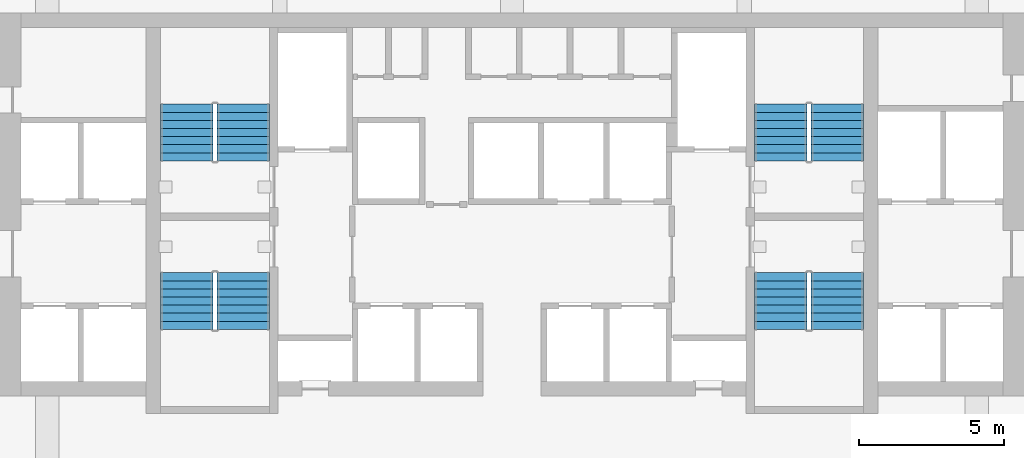
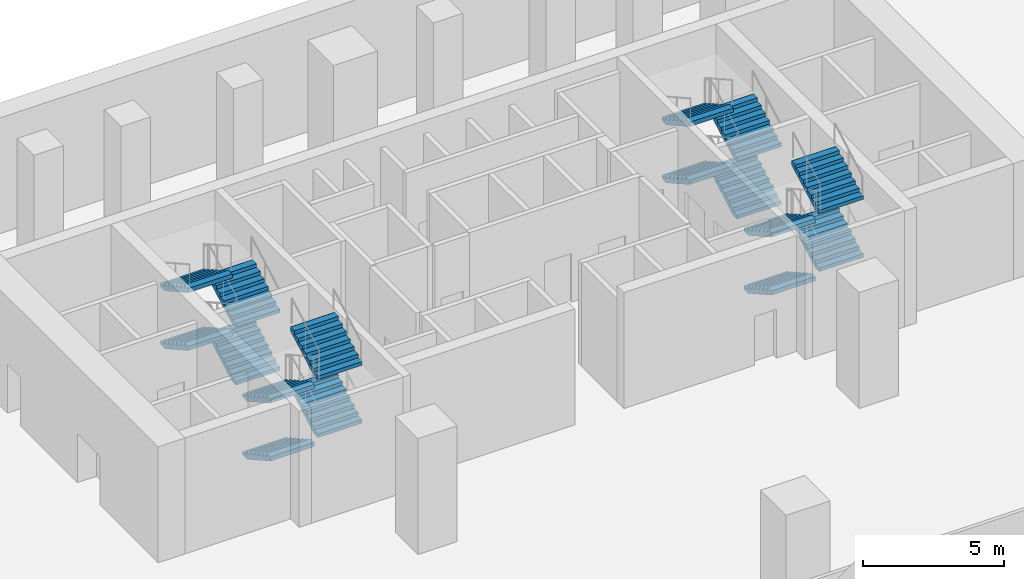
# One storey, part 15 of 24: 16 stair flights, 4 elements without a shape of their own.
"""IFC4 building model written with IfcOpenShell, lengths in metres."""

from ifc_helpers import new_model, si_unit, direction, frame, origin, place, context, subcontext, project, spatial, faceted_brep, source, transform, mapped, material, type_object, element, aggregate, save


model = new_model("IFC4")

# Units and contexts
model_context = context("Model", 3, precision=1e-05, world=origin(), true_north=direction((0.0, 1.0)))
body_context = subcontext(model_context, "Body", "Model", "MODEL_VIEW")
ifc_project = project(units=[si_unit("LENGTHUNIT", "METRE"), si_unit("AREAUNIT", "SQUARE_METRE"), si_unit("VOLUMEUNIT", "CUBIC_METRE"), si_unit("PLANEANGLEUNIT", "RADIAN"), si_unit("MASSUNIT", "GRAM", prefix="KILO")], contexts=[model_context])

# Site, building, storey
site_placement = place(None, origin())
site = spatial("IfcSite", under=ifc_project, at=site_placement, CompositionType="ELEMENT")
building_placement = place(site_placement, origin())
building = spatial("IfcBuilding", under=site, at=building_placement, Name="Calabash Gate Tower", CompositionType="ELEMENT")
storey_placement = place(building_placement, frame((0.0, 0.0, -5.0)))
storey = spatial("IfcBuildingStorey", under=building, at=storey_placement, Name="B1", CompositionType="ELEMENT", Elevation=-5.0)

# Stair, stair flights
ifc_material_1 = material(Name="Concrete C40/50", Category="concrete")
stair_type = type_object("IfcStairType", Name="Exit stair 32 risers of 156.2 mm", PredefinedType="HALF_TURN_STAIR", material=ifc_material_1)
stair_1_placement = place(storey_placement, origin())
stair_1 = element("IfcStair", 1, at=stair_1_placement, inside=storey, type_object=stair_type, Name="B1 Exit stair ST1", PredefinedType="HALF_TURN_STAIR")
ifc_material_2 = material(Name="Concrete C40/50", Category="concrete")
stair_flight_type = type_object("IfcStairFlightType", Name="Exit stair flight SFL", PredefinedType="STRAIGHT", material=ifc_material_2)
shared_shape = source(origin(), body_context, "Body", "Brep", [
    faceted_brep([(-0.0009765625, -0.89990234375, 0.0), (0.306884765625, -0.89990234375, 0.0), (1.9541015625, -0.89990234375, 0.921875), (-0.0009765625, 0.89990234375, 0.0), (1.9541015625, 0.89990234375, 0.921875), (0.306884765625, 0.89990234375, 0.0), (1.9541015625, -0.89990234375, 1.105712890625), (1.952880859375, -0.89990234375, 1.105712890625), (1.952880859375, 0.89990234375, 1.105712890625), (1.9541015625, 0.89990234375, 1.105712890625), (1.952880859375, -0.89990234375, 1.09375), (1.952880859375, 0.89990234375, 1.09375), (1.674072265625, -0.89990234375, 1.09375), (1.674072265625, 0.89990234375, 1.09375), (1.674072265625, -0.89990234375, 0.9375), (1.674072265625, 0.89990234375, 0.9375), (1.39501953125, -0.89990234375, 0.9375), (1.39501953125, 0.89990234375, 0.9375), (1.39501953125, -0.89990234375, 0.78125), (1.39501953125, 0.89990234375, 0.78125), (1.115966796875, -0.89990234375, 0.78125), (1.115966796875, -0.89990234375, 0.625), (1.115966796875, 0.89990234375, 0.625), (1.115966796875, 0.89990234375, 0.78125), (0.8369140625, -0.89990234375, 0.625), (0.8369140625, -0.89990234375, 0.46875), (0.8369140625, 0.89990234375, 0.46875), (0.8369140625, 0.89990234375, 0.625), (0.55810546875, -0.89990234375, 0.46875), (0.55810546875, -0.89990234375, 0.3125), (0.55810546875, 0.89990234375, 0.3125), (0.55810546875, 0.89990234375, 0.46875), (0.279052734375, -0.89990234375, 0.3125), (0.279052734375, -0.89990234375, 0.15625), (0.279052734375, 0.89990234375, 0.15625), (0.279052734375, 0.89990234375, 0.3125), (-0.0009765625, -0.89990234375, 0.15625), (-0.0009765625, 0.89990234375, 0.15625), (0.306884765625, -0.360107421875, 0.0), (1.9541015625, -0.360107421875, 0.921875), (0.306884765625, -0.27001953125, 0.0), (1.9541015625, -0.27001953125, 0.921875), (0.306884765625, -0.179931640625, 0.0), (1.9541015625, -0.179931640625, 0.921875), (0.306884765625, -0.090087890625, 0.0), (1.9541015625, -0.090087890625, 0.921875), (0.306884765625, 0.0, 0.0), (1.9541015625, 0.0, 0.921875), (0.306884765625, 0.090087890625, 0.0), (1.9541015625, 0.090087890625, 0.921875), (0.306884765625, 0.179931640625, 0.0), (1.9541015625, 0.179931640625, 0.921875), (0.306884765625, 0.27001953125, 0.0), (1.9541015625, 0.27001953125, 0.921875), (0.306884765625, 0.360107421875, 0.0), (1.9541015625, 0.360107421875, 0.921875), (1.9541015625, -0.360107421875, 1.105712890625), (1.9541015625, -0.27001953125, 1.105712890625), (1.9541015625, -0.179931640625, 1.105712890625), (1.9541015625, -0.090087890625, 1.105712890625), (1.9541015625, 0.0, 1.105712890625), (1.9541015625, 0.090087890625, 1.105712890625), (1.9541015625, 0.179931640625, 1.105712890625), (1.9541015625, 0.27001953125, 1.105712890625), (1.9541015625, 0.360107421875, 1.105712890625), (1.952880859375, -0.360107421875, 1.105712890625), (1.952880859375, -0.27001953125, 1.105712890625), (1.952880859375, -0.179931640625, 1.105712890625), (1.952880859375, -0.090087890625, 1.105712890625), (1.952880859375, 0.0, 1.105712890625), (1.952880859375, 0.090087890625, 1.105712890625), (1.952880859375, 0.179931640625, 1.105712890625), (1.952880859375, 0.27001953125, 1.105712890625), (1.952880859375, 0.360107421875, 1.105712890625), (1.952880859375, -0.360107421875, 1.09375), (1.952880859375, -0.27001953125, 1.09375), (1.952880859375, -0.179931640625, 1.09375), (1.952880859375, -0.090087890625, 1.09375), (1.952880859375, 0.0, 1.09375), (1.952880859375, 0.090087890625, 1.09375), (1.952880859375, 0.179931640625, 1.09375), (1.952880859375, 0.27001953125, 1.09375), (1.952880859375, 0.360107421875, 1.09375), (1.674072265625, -0.360107421875, 1.09375), (1.674072265625, -0.27001953125, 1.09375), (1.674072265625, -0.179931640625, 1.09375), (1.674072265625, -0.090087890625, 1.09375), (1.674072265625, 0.0, 1.09375), (1.674072265625, 0.090087890625, 1.09375), (1.674072265625, 0.179931640625, 1.09375), (1.674072265625, 0.27001953125, 1.09375), (1.674072265625, 0.360107421875, 1.09375), (1.674072265625, -0.360107421875, 0.9375), (1.674072265625, -0.27001953125, 0.9375), (1.674072265625, -0.179931640625, 0.9375), (1.674072265625, -0.090087890625, 0.9375), (1.674072265625, 0.0, 0.9375), (1.674072265625, 0.090087890625, 0.9375), (1.674072265625, 0.179931640625, 0.9375), (1.674072265625, 0.27001953125, 0.9375), (1.674072265625, 0.360107421875, 0.9375), (1.39501953125, -0.360107421875, 0.9375), (1.39501953125, -0.27001953125, 0.9375), (1.39501953125, -0.179931640625, 0.9375), (1.39501953125, -0.090087890625, 0.9375), (1.39501953125, 0.0, 0.9375), (1.39501953125, 0.090087890625, 0.9375), (1.39501953125, 0.179931640625, 0.9375), (1.39501953125, 0.27001953125, 0.9375), (1.39501953125, 0.360107421875, 0.9375), (1.39501953125, -0.360107421875, 0.78125), (1.39501953125, -0.27001953125, 0.78125), (1.39501953125, -0.179931640625, 0.78125), (1.39501953125, -0.090087890625, 0.78125), (1.39501953125, 0.0, 0.78125), (1.39501953125, 0.090087890625, 0.78125), (1.39501953125, 0.179931640625, 0.78125), (1.39501953125, 0.27001953125, 0.78125), (1.39501953125, 0.360107421875, 0.78125), (1.115966796875, -0.360107421875, 0.78125), (1.115966796875, -0.27001953125, 0.78125), (1.115966796875, -0.179931640625, 0.78125), (1.115966796875, -0.090087890625, 0.78125), (1.115966796875, 0.0, 0.78125), (1.115966796875, 0.090087890625, 0.78125), (1.115966796875, 0.179931640625, 0.78125), (1.115966796875, 0.27001953125, 0.78125), (1.115966796875, 0.360107421875, 0.78125), (1.115966796875, -0.360107421875, 0.625), (1.115966796875, -0.27001953125, 0.625), (1.115966796875, -0.179931640625, 0.625), (1.115966796875, -0.090087890625, 0.625), (1.115966796875, 0.0, 0.625), (1.115966796875, 0.090087890625, 0.625), (1.115966796875, 0.179931640625, 0.625), (1.115966796875, 0.27001953125, 0.625), (1.115966796875, 0.360107421875, 0.625), (0.8369140625, -0.360107421875, 0.625), (0.8369140625, -0.27001953125, 0.625), (0.8369140625, -0.179931640625, 0.625), (0.8369140625, -0.090087890625, 0.625), (0.8369140625, 0.0, 0.625), (0.8369140625, 0.090087890625, 0.625), (0.8369140625, 0.179931640625, 0.625), (0.8369140625, 0.27001953125, 0.625), (0.8369140625, 0.360107421875, 0.625), (0.8369140625, -0.360107421875, 0.46875), (0.8369140625, -0.27001953125, 0.46875), (0.8369140625, -0.179931640625, 0.46875), (0.8369140625, -0.090087890625, 0.46875), (0.8369140625, 0.0, 0.46875), (0.8369140625, 0.090087890625, 0.46875), (0.8369140625, 0.179931640625, 0.46875), (0.8369140625, 0.27001953125, 0.46875), (0.8369140625, 0.360107421875, 0.46875), (0.55810546875, -0.360107421875, 0.46875), (0.55810546875, -0.27001953125, 0.46875), (0.55810546875, -0.179931640625, 0.46875), (0.55810546875, -0.090087890625, 0.46875), (0.55810546875, 0.0, 0.46875), (0.55810546875, 0.090087890625, 0.46875), (0.55810546875, 0.179931640625, 0.46875), (0.55810546875, 0.27001953125, 0.46875), (0.55810546875, 0.360107421875, 0.46875), (0.55810546875, -0.360107421875, 0.3125), (0.55810546875, -0.27001953125, 0.3125), (0.55810546875, -0.179931640625, 0.3125), (0.55810546875, -0.090087890625, 0.3125), (0.55810546875, 0.0, 0.3125), (0.55810546875, 0.090087890625, 0.3125), (0.55810546875, 0.179931640625, 0.3125), (0.55810546875, 0.27001953125, 0.3125), (0.55810546875, 0.360107421875, 0.3125), (0.279052734375, -0.360107421875, 0.3125), (0.279052734375, -0.27001953125, 0.3125), (0.279052734375, -0.179931640625, 0.3125), (0.279052734375, -0.090087890625, 0.3125), (0.279052734375, 0.0, 0.3125), (0.279052734375, 0.090087890625, 0.3125), (0.279052734375, 0.179931640625, 0.3125), (0.279052734375, 0.27001953125, 0.3125), (0.279052734375, 0.360107421875, 0.3125), (0.279052734375, -0.360107421875, 0.15625), (0.279052734375, -0.27001953125, 0.15625), (0.279052734375, -0.179931640625, 0.15625), (0.279052734375, -0.090087890625, 0.15625), (0.279052734375, 0.0, 0.15625), (0.279052734375, 0.090087890625, 0.15625), (0.279052734375, 0.179931640625, 0.15625), (0.279052734375, 0.27001953125, 0.15625), (0.279052734375, 0.360107421875, 0.15625), (-0.0009765625, -0.360107421875, 0.15625), (-0.0009765625, -0.27001953125, 0.15625), (-0.0009765625, -0.179931640625, 0.15625), (-0.0009765625, -0.090087890625, 0.15625), (-0.0009765625, 0.0, 0.15625), (-0.0009765625, 0.090087890625, 0.15625), (-0.0009765625, 0.179931640625, 0.15625), (-0.0009765625, 0.27001953125, 0.15625), (-0.0009765625, 0.360107421875, 0.15625), (-0.0009765625, -0.360107421875, 0.0), (-0.0009765625, -0.27001953125, 0.0), (-0.0009765625, -0.179931640625, 0.0), (-0.0009765625, -0.090087890625, 0.0), (-0.0009765625, 0.0, 0.0), (-0.0009765625, 0.090087890625, 0.0), (-0.0009765625, 0.179931640625, 0.0), (-0.0009765625, 0.27001953125, 0.0), (-0.0009765625, 0.360107421875, 0.0)], [[[0, 1, 2]], [[3, 4, 5]], [[2, 6, 7]], [[4, 8, 9]], [[2, 7, 10]], [[4, 11, 8]], [[2, 10, 12]], [[4, 13, 11]], [[2, 12, 14]], [[4, 15, 13]], [[2, 14, 16]], [[4, 17, 15]], [[2, 16, 18]], [[4, 19, 17]], [[18, 20, 21]], [[19, 22, 23]], [[2, 18, 21]], [[4, 22, 19]], [[21, 24, 25]], [[22, 26, 27]], [[2, 21, 25]], [[4, 26, 22]], [[25, 28, 29]], [[26, 30, 31]], [[2, 25, 29]], [[4, 30, 26]], [[29, 32, 33]], [[30, 34, 35]], [[2, 29, 33]], [[4, 34, 30]], [[0, 2, 33]], [[3, 34, 4]], [[33, 36, 0]], [[34, 3, 37]], [[1, 38, 2]], [[38, 39, 2]], [[38, 40, 39]], [[40, 41, 39]], [[40, 42, 41]], [[42, 43, 41]], [[42, 44, 43]], [[44, 45, 43]], [[44, 46, 45]], [[46, 47, 45]], [[46, 48, 49]], [[46, 49, 47]], [[48, 50, 51]], [[48, 51, 49]], [[50, 52, 53]], [[50, 53, 51]], [[52, 54, 55]], [[52, 55, 53]], [[54, 5, 4]], [[54, 4, 55]], [[2, 39, 6]], [[39, 56, 6]], [[39, 41, 56]], [[41, 57, 56]], [[41, 43, 57]], [[43, 58, 57]], [[43, 45, 58]], [[45, 59, 58]], [[45, 47, 59]], [[47, 60, 59]], [[47, 49, 61]], [[47, 61, 60]], [[49, 51, 62]], [[49, 62, 61]], [[51, 53, 63]], [[51, 63, 62]], [[53, 55, 64]], [[53, 64, 63]], [[55, 4, 9]], [[55, 9, 64]], [[6, 56, 7]], [[56, 65, 7]], [[56, 57, 65]], [[57, 66, 65]], [[57, 58, 66]], [[58, 67, 66]], [[58, 59, 67]], [[59, 68, 67]], [[59, 60, 68]], [[60, 69, 68]], [[60, 61, 70]], [[60, 70, 69]], [[61, 62, 71]], [[61, 71, 70]], [[62, 63, 72]], [[62, 72, 71]], [[63, 64, 73]], [[63, 73, 72]], [[64, 9, 8]], [[64, 8, 73]], [[7, 65, 10]], [[65, 74, 10]], [[65, 66, 74]], [[66, 75, 74]], [[66, 67, 75]], [[67, 76, 75]], [[67, 68, 76]], [[68, 77, 76]], [[68, 69, 77]], [[69, 78, 77]], [[69, 70, 79]], [[69, 79, 78]], [[70, 71, 80]], [[70, 80, 79]], [[71, 72, 81]], [[71, 81, 80]], [[72, 73, 82]], [[72, 82, 81]], [[73, 8, 11]], [[73, 11, 82]], [[10, 74, 12]], [[74, 83, 12]], [[74, 75, 83]], [[75, 84, 83]], [[75, 76, 84]], [[76, 85, 84]], [[76, 77, 85]], [[77, 86, 85]], [[77, 78, 86]], [[78, 87, 86]], [[78, 79, 88]], [[78, 88, 87]], [[79, 80, 89]], [[79, 89, 88]], [[80, 81, 90]], [[80, 90, 89]], [[81, 82, 91]], [[81, 91, 90]], [[82, 11, 13]], [[82, 13, 91]], [[12, 83, 14]], [[83, 92, 14]], [[83, 84, 92]], [[84, 93, 92]], [[84, 85, 93]], [[85, 94, 93]], [[85, 86, 94]], [[86, 95, 94]], [[86, 87, 95]], [[87, 96, 95]], [[87, 88, 97]], [[87, 97, 96]], [[88, 89, 98]], [[88, 98, 97]], [[89, 90, 99]], [[89, 99, 98]], [[90, 91, 100]], [[90, 100, 99]], [[91, 13, 15]], [[91, 15, 100]], [[14, 92, 16]], [[92, 101, 16]], [[92, 93, 101]], [[93, 102, 101]], [[93, 94, 102]], [[94, 103, 102]], [[94, 95, 103]], [[95, 104, 103]], [[95, 96, 104]], [[96, 105, 104]], [[96, 97, 106]], [[96, 106, 105]], [[97, 98, 107]], [[97, 107, 106]], [[98, 99, 108]], [[98, 108, 107]], [[99, 100, 109]], [[99, 109, 108]], [[100, 15, 17]], [[100, 17, 109]], [[16, 101, 18]], [[101, 110, 18]], [[101, 102, 110]], [[102, 111, 110]], [[102, 103, 111]], [[103, 112, 111]], [[103, 104, 112]], [[104, 113, 112]], [[104, 105, 113]], [[105, 114, 113]], [[105, 106, 115]], [[105, 115, 114]], [[106, 107, 116]], [[106, 116, 115]], [[107, 108, 117]], [[107, 117, 116]], [[108, 109, 118]], [[108, 118, 117]], [[109, 17, 19]], [[109, 19, 118]], [[18, 110, 20]], [[110, 119, 20]], [[110, 111, 119]], [[111, 120, 119]], [[111, 112, 120]], [[112, 121, 120]], [[112, 113, 121]], [[113, 122, 121]], [[113, 114, 122]], [[114, 123, 122]], [[114, 115, 124]], [[114, 124, 123]], [[115, 116, 125]], [[115, 125, 124]], [[116, 117, 126]], [[116, 126, 125]], [[117, 118, 127]], [[117, 127, 126]], [[118, 19, 23]], [[118, 23, 127]], [[20, 119, 21]], [[119, 128, 21]], [[119, 120, 128]], [[120, 129, 128]], [[120, 121, 129]], [[121, 130, 129]], [[121, 122, 130]], [[122, 131, 130]], [[122, 123, 131]], [[123, 132, 131]], [[123, 124, 133]], [[123, 133, 132]], [[124, 125, 134]], [[124, 134, 133]], [[125, 126, 135]], [[125, 135, 134]], [[126, 127, 136]], [[126, 136, 135]], [[127, 23, 22]], [[127, 22, 136]], [[21, 128, 24]], [[128, 137, 24]], [[128, 129, 137]], [[129, 138, 137]], [[129, 130, 138]], [[130, 139, 138]], [[130, 131, 139]], [[131, 140, 139]], [[131, 132, 140]], [[132, 141, 140]], [[132, 133, 142]], [[132, 142, 141]], [[133, 134, 143]], [[133, 143, 142]], [[134, 135, 144]], [[134, 144, 143]], [[135, 136, 145]], [[135, 145, 144]], [[136, 22, 27]], [[136, 27, 145]], [[24, 137, 25]], [[137, 146, 25]], [[137, 138, 146]], [[138, 147, 146]], [[138, 139, 147]], [[139, 148, 147]], [[139, 140, 148]], [[140, 149, 148]], [[140, 141, 149]], [[141, 150, 149]], [[141, 142, 151]], [[141, 151, 150]], [[142, 143, 152]], [[142, 152, 151]], [[143, 144, 153]], [[143, 153, 152]], [[144, 145, 154]], [[144, 154, 153]], [[145, 27, 26]], [[145, 26, 154]], [[25, 146, 28]], [[146, 155, 28]], [[146, 147, 155]], [[147, 156, 155]], [[147, 148, 156]], [[148, 157, 156]], [[148, 149, 157]], [[149, 158, 157]], [[149, 150, 158]], [[150, 159, 158]], [[150, 151, 160]], [[150, 160, 159]], [[151, 152, 161]], [[151, 161, 160]], [[152, 153, 162]], [[152, 162, 161]], [[153, 154, 163]], [[153, 163, 162]], [[154, 26, 31]], [[154, 31, 163]], [[28, 155, 29]], [[155, 164, 29]], [[155, 156, 164]], [[156, 165, 164]], [[156, 157, 165]], [[157, 166, 165]], [[157, 158, 166]], [[158, 167, 166]], [[158, 159, 167]], [[159, 168, 167]], [[159, 160, 169]], [[159, 169, 168]], [[160, 161, 170]], [[160, 170, 169]], [[161, 162, 171]], [[161, 171, 170]], [[162, 163, 172]], [[162, 172, 171]], [[163, 31, 30]], [[163, 30, 172]], [[29, 164, 32]], [[164, 173, 32]], [[164, 165, 173]], [[165, 174, 173]], [[165, 166, 174]], [[166, 175, 174]], [[166, 167, 175]], [[167, 176, 175]], [[167, 168, 176]], [[168, 177, 176]], [[168, 169, 178]], [[168, 178, 177]], [[169, 170, 179]], [[169, 179, 178]], [[170, 171, 180]], [[170, 180, 179]], [[171, 172, 181]], [[171, 181, 180]], [[172, 30, 35]], [[172, 35, 181]], [[32, 173, 33]], [[173, 182, 33]], [[173, 174, 182]], [[174, 183, 182]], [[174, 175, 183]], [[175, 184, 183]], [[175, 176, 184]], [[176, 185, 184]], [[176, 177, 185]], [[177, 186, 185]], [[177, 178, 187]], [[177, 187, 186]], [[178, 179, 188]], [[178, 188, 187]], [[179, 180, 189]], [[179, 189, 188]], [[180, 181, 190]], [[180, 190, 189]], [[181, 35, 34]], [[181, 34, 190]], [[33, 182, 36]], [[182, 191, 36]], [[182, 183, 191]], [[183, 192, 191]], [[183, 184, 192]], [[184, 193, 192]], [[184, 185, 193]], [[185, 194, 193]], [[185, 186, 194]], [[186, 195, 194]], [[186, 187, 196]], [[186, 196, 195]], [[187, 188, 197]], [[187, 197, 196]], [[188, 189, 198]], [[188, 198, 197]], [[189, 190, 199]], [[189, 199, 198]], [[190, 34, 37]], [[190, 37, 199]], [[36, 191, 0]], [[191, 200, 0]], [[191, 192, 200]], [[192, 201, 200]], [[192, 193, 201]], [[193, 202, 201]], [[193, 194, 202]], [[194, 203, 202]], [[194, 195, 203]], [[195, 204, 203]], [[195, 196, 205]], [[195, 205, 204]], [[196, 197, 206]], [[196, 206, 205]], [[197, 198, 207]], [[197, 207, 206]], [[198, 199, 208]], [[198, 208, 207]], [[199, 37, 3]], [[199, 3, 208]], [[0, 200, 1]], [[200, 38, 1]], [[200, 201, 38]], [[201, 40, 38]], [[201, 202, 40]], [[202, 42, 40]], [[202, 203, 42]], [[203, 44, 42]], [[203, 204, 44]], [[204, 46, 44]], [[204, 205, 48]], [[204, 48, 46]], [[205, 206, 50]], [[205, 50, 48]], [[206, 207, 52]], [[206, 52, 50]], [[207, 208, 54]], [[207, 54, 52]], [[208, 3, 5]], [[208, 5, 54]]]),
])
stair_flight_1_placement = place(storey_placement, frame((-9.25, 13.95263671875, 0.0), z_axis=(0.0, 0.0, 1.0), x_axis=(0.0, 1.0, 0.0)))
stair_flight_1 = element("IfcStairFlight", 2, at=stair_flight_1_placement, type_object=stair_flight_type, Name="ST1 flight 1", NumberOfRisers=8, NumberOfTreads=7, PredefinedType="STRAIGHT", RiserHeight=0.15625, TreadLength=0.279, context=body_context, shape_type="MappedRepresentation", body=[
    mapped(shared_shape, transform((0.0, 0.0, 0.0), scale=1.0)),
])
stair_flight_2_placement = place(storey_placement, frame((-11.199951171875, 15.905517578125, 1.25), z_axis=(0.0, 0.0, 1.0), x_axis=(0.0, -1.0, 0.0)))
stair_flight_2 = element("IfcStairFlight", 3, at=stair_flight_2_placement, type_object=stair_flight_type, Name="ST1 flight 2", NumberOfRisers=8, NumberOfTreads=7, PredefinedType="STRAIGHT", RiserHeight=0.15625, TreadLength=0.279, context=body_context, shape_type="MappedRepresentation", body=[
    mapped(shared_shape, transform((0.0, 0.0, 0.0), scale=1.0)),
])
stair_flight_3_placement = place(storey_placement, frame((-9.25, 13.95263671875, 2.5), z_axis=(0.0, 0.0, 1.0), x_axis=(0.0, 1.0, 0.0)))
stair_flight_3 = element("IfcStairFlight", 4, at=stair_flight_3_placement, type_object=stair_flight_type, Name="ST1 flight 3", NumberOfRisers=8, NumberOfTreads=7, PredefinedType="STRAIGHT", RiserHeight=0.15625, TreadLength=0.279, context=body_context, shape_type="MappedRepresentation", body=[
    mapped(shared_shape, transform((0.0, 0.0, 0.0), scale=1.0)),
])
stair_flight_4_placement = place(storey_placement, frame((-11.199951171875, 15.905517578125, 3.75), z_axis=(0.0, 0.0, 1.0), x_axis=(0.0, -1.0, 0.0)))
stair_flight_4 = element("IfcStairFlight", 5, at=stair_flight_4_placement, type_object=stair_flight_type, Name="ST1 flight 4", NumberOfRisers=8, NumberOfTreads=7, PredefinedType="STRAIGHT", RiserHeight=0.15625, TreadLength=0.279, context=body_context, shape_type="MappedRepresentation", body=[
    mapped(shared_shape, transform((0.0, 0.0, 0.0), scale=1.0)),
])
aggregate(stair_1, [stair_flight_1, stair_flight_2, stair_flight_3, stair_flight_4])

stair_2_placement = place(storey_placement, origin())
stair_2 = element("IfcStair", 6, at=stair_2_placement, inside=storey, type_object=stair_type, Name="B1 Exit stair ST2", PredefinedType="HALF_TURN_STAIR")
stair_flight_5_placement = place(storey_placement, frame((-11.199951171875, 10.1025390625, 0.0), z_axis=(0.0, 0.0, 1.0), x_axis=(0.0, -1.0, 0.0)))
stair_flight_5 = element("IfcStairFlight", 7, at=stair_flight_5_placement, type_object=stair_flight_type, Name="ST2 flight 1", NumberOfRisers=8, NumberOfTreads=7, PredefinedType="STRAIGHT", RiserHeight=0.15625, TreadLength=0.279, context=body_context, shape_type="MappedRepresentation", body=[
    mapped(shared_shape, transform((0.0, 0.0, 0.0), scale=1.0)),
])
stair_flight_6_placement = place(storey_placement, frame((-9.25, 8.149658203125, 1.25), z_axis=(0.0, 0.0, 1.0), x_axis=(0.0, 1.0, 0.0)))
stair_flight_6 = element("IfcStairFlight", 8, at=stair_flight_6_placement, type_object=stair_flight_type, Name="ST2 flight 2", NumberOfRisers=8, NumberOfTreads=7, PredefinedType="STRAIGHT", RiserHeight=0.15625, TreadLength=0.279, context=body_context, shape_type="MappedRepresentation", body=[
    mapped(shared_shape, transform((0.0, 0.0, 0.0), scale=1.0)),
])
stair_flight_7_placement = place(storey_placement, frame((-11.199951171875, 10.1025390625, 2.5), z_axis=(0.0, 0.0, 1.0), x_axis=(0.0, -1.0, 0.0)))
stair_flight_7 = element("IfcStairFlight", 9, at=stair_flight_7_placement, type_object=stair_flight_type, Name="ST2 flight 3", NumberOfRisers=8, NumberOfTreads=7, PredefinedType="STRAIGHT", RiserHeight=0.15625, TreadLength=0.279, context=body_context, shape_type="MappedRepresentation", body=[
    mapped(shared_shape, transform((0.0, 0.0, 0.0), scale=1.0)),
])
stair_flight_8_placement = place(storey_placement, frame((-9.25, 8.149658203125, 3.75), z_axis=(0.0, 0.0, 1.0), x_axis=(0.0, 1.0, 0.0)))
stair_flight_8 = element("IfcStairFlight", 10, at=stair_flight_8_placement, type_object=stair_flight_type, Name="ST2 flight 4", NumberOfRisers=8, NumberOfTreads=7, PredefinedType="STRAIGHT", RiserHeight=0.15625, TreadLength=0.279, context=body_context, shape_type="MappedRepresentation", body=[
    mapped(shared_shape, transform((0.0, 0.0, 0.0), scale=1.0)),
])
aggregate(stair_2, [stair_flight_5, stair_flight_6, stair_flight_7, stair_flight_8])

stair_3_placement = place(storey_placement, origin())
stair_3 = element("IfcStair", 11, at=stair_3_placement, inside=storey, type_object=stair_type, Name="B1 Exit stair ST3", PredefinedType="HALF_TURN_STAIR")
stair_flight_9_placement = place(storey_placement, frame((11.199951171875, 13.95263671875, 0.0), z_axis=(0.0, 0.0, 1.0), x_axis=(0.0, 1.0, 0.0)))
stair_flight_9 = element("IfcStairFlight", 12, at=stair_flight_9_placement, type_object=stair_flight_type, Name="ST3 flight 1", NumberOfRisers=8, NumberOfTreads=7, PredefinedType="STRAIGHT", RiserHeight=0.15625, TreadLength=0.279, context=body_context, shape_type="MappedRepresentation", body=[
    mapped(shared_shape, transform((0.0, 0.0, 0.0), scale=1.0)),
])
stair_flight_10_placement = place(storey_placement, frame((9.25, 15.905517578125, 1.25), z_axis=(0.0, 0.0, 1.0), x_axis=(0.0, -1.0, 0.0)))
stair_flight_10 = element("IfcStairFlight", 13, at=stair_flight_10_placement, type_object=stair_flight_type, Name="ST3 flight 2", NumberOfRisers=8, NumberOfTreads=7, PredefinedType="STRAIGHT", RiserHeight=0.15625, TreadLength=0.279, context=body_context, shape_type="MappedRepresentation", body=[
    mapped(shared_shape, transform((0.0, 0.0, 0.0), scale=1.0)),
])
stair_flight_11_placement = place(storey_placement, frame((11.199951171875, 13.95263671875, 2.5), z_axis=(0.0, 0.0, 1.0), x_axis=(0.0, 1.0, 0.0)))
stair_flight_11 = element("IfcStairFlight", 14, at=stair_flight_11_placement, type_object=stair_flight_type, Name="ST3 flight 3", NumberOfRisers=8, NumberOfTreads=7, PredefinedType="STRAIGHT", RiserHeight=0.15625, TreadLength=0.279, context=body_context, shape_type="MappedRepresentation", body=[
    mapped(shared_shape, transform((0.0, 0.0, 0.0), scale=1.0)),
])
stair_flight_12_placement = place(storey_placement, frame((9.25, 15.905517578125, 3.75), z_axis=(0.0, 0.0, 1.0), x_axis=(0.0, -1.0, 0.0)))
stair_flight_12 = element("IfcStairFlight", 15, at=stair_flight_12_placement, type_object=stair_flight_type, Name="ST3 flight 4", NumberOfRisers=8, NumberOfTreads=7, PredefinedType="STRAIGHT", RiserHeight=0.15625, TreadLength=0.279, context=body_context, shape_type="MappedRepresentation", body=[
    mapped(shared_shape, transform((0.0, 0.0, 0.0), scale=1.0)),
])
aggregate(stair_3, [stair_flight_9, stair_flight_10, stair_flight_11, stair_flight_12])

stair_4_placement = place(storey_placement, origin())
stair_4 = element("IfcStair", 16, at=stair_4_placement, inside=storey, type_object=stair_type, Name="B1 Exit stair ST4", PredefinedType="HALF_TURN_STAIR")
stair_flight_13_placement = place(storey_placement, frame((9.25, 10.1025390625, 0.0), z_axis=(0.0, 0.0, 1.0), x_axis=(0.0, -1.0, 0.0)))
stair_flight_13 = element("IfcStairFlight", 17, at=stair_flight_13_placement, type_object=stair_flight_type, Name="ST4 flight 1", NumberOfRisers=8, NumberOfTreads=7, PredefinedType="STRAIGHT", RiserHeight=0.15625, TreadLength=0.279, context=body_context, shape_type="MappedRepresentation", body=[
    mapped(shared_shape, transform((0.0, 0.0, 0.0), scale=1.0)),
])
stair_flight_14_placement = place(storey_placement, frame((11.199951171875, 8.149658203125, 1.25), z_axis=(0.0, 0.0, 1.0), x_axis=(0.0, 1.0, 0.0)))
stair_flight_14 = element("IfcStairFlight", 18, at=stair_flight_14_placement, type_object=stair_flight_type, Name="ST4 flight 2", NumberOfRisers=8, NumberOfTreads=7, PredefinedType="STRAIGHT", RiserHeight=0.15625, TreadLength=0.279, context=body_context, shape_type="MappedRepresentation", body=[
    mapped(shared_shape, transform((0.0, 0.0, 0.0), scale=1.0)),
])
stair_flight_15_placement = place(storey_placement, frame((9.25, 10.1025390625, 2.5), z_axis=(0.0, 0.0, 1.0), x_axis=(0.0, -1.0, 0.0)))
stair_flight_15 = element("IfcStairFlight", 19, at=stair_flight_15_placement, type_object=stair_flight_type, Name="ST4 flight 3", NumberOfRisers=8, NumberOfTreads=7, PredefinedType="STRAIGHT", RiserHeight=0.15625, TreadLength=0.279, context=body_context, shape_type="MappedRepresentation", body=[
    mapped(shared_shape, transform((0.0, 0.0, 0.0), scale=1.0)),
])
stair_flight_16_placement = place(storey_placement, frame((11.199951171875, 8.149658203125, 3.75), z_axis=(0.0, 0.0, 1.0), x_axis=(0.0, 1.0, 0.0)))
stair_flight_16 = element("IfcStairFlight", 20, at=stair_flight_16_placement, type_object=stair_flight_type, Name="ST4 flight 4", NumberOfRisers=8, NumberOfTreads=7, PredefinedType="STRAIGHT", RiserHeight=0.15625, TreadLength=0.279, context=body_context, shape_type="MappedRepresentation", body=[
    mapped(shared_shape, transform((0.0, 0.0, 0.0), scale=1.0)),
])
aggregate(stair_4, [stair_flight_13, stair_flight_14, stair_flight_15, stair_flight_16])

save(model, "model.ifc")
